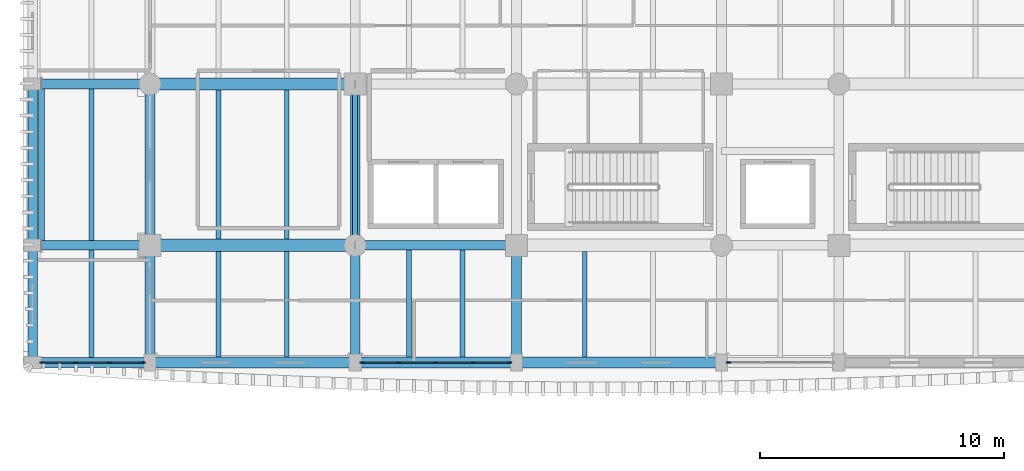
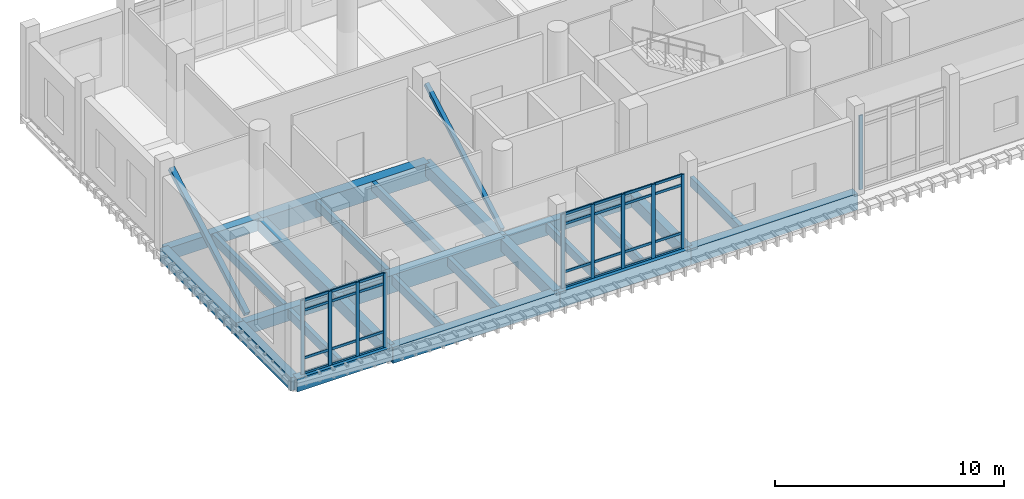
# One storey, part 25 of 101: 40 members, 25 beams, 3 elements without a shape of their own.
"""IFC4 building model written with IfcOpenShell, lengths in metres."""

from ifc_helpers import new_model, si_unit, direction, frame, origin, origin_2d, place, context, subcontext, project, spatial, rectangle, hollow_rectangle, extrude, material, material_profile, profile_set, type_object, element, aggregate, save


model = new_model("IFC4")

# Units and contexts
model_context = context("Model", 3, precision=1e-05, world=origin(), true_north=direction((0.0, 1.0)))
body_context = subcontext(model_context, "Body", "Model", "MODEL_VIEW")
ifc_project = project(units=[si_unit("LENGTHUNIT", "METRE"), si_unit("AREAUNIT", "SQUARE_METRE"), si_unit("VOLUMEUNIT", "CUBIC_METRE"), si_unit("PLANEANGLEUNIT", "RADIAN"), si_unit("MASSUNIT", "GRAM", prefix="KILO")], contexts=[model_context])

# Site, building, storey
site_placement = place(None, origin())
site = spatial("IfcSite", under=ifc_project, at=site_placement, CompositionType="ELEMENT")
building_placement = place(site_placement, origin())
building = spatial("IfcBuilding", under=site, at=building_placement, Name="Dornvale Research Institute", CompositionType="ELEMENT")
storey_placement = place(building_placement, frame((0.0, 0.0, 10.199951171875)))
storey = spatial("IfcBuildingStorey", under=building, at=storey_placement, Name="L02", CompositionType="ELEMENT", Elevation=10.199951171875)

# Beams
ifc_material_1 = material(Name="Concrete f'c 45 MPa (C35/45)", Category="concrete")
ifc_material_profile_1 = material_profile(ifc_material_1, rectangle(XDim=0.39990234375, YDim=0.64990234375, at=origin_2d()), Name="RC 400x650")
ifc_profile_set_1 = profile_set([ifc_material_profile_1], Name="Concrete f'c 45 MPa (C35/45)")
beam_type_1 = type_object("IfcBeamType", Name="Beam_RC400x650_Floor", PredefinedType="BEAM", material=ifc_profile_set_1)
beam_1_placement = place(storey_placement, frame((0.0, 103.800048828125, -0.324951171875), z_axis=(1.0, 0.0, 0.0), x_axis=(0.0, 1.0, 0.0)))
element("IfcBeam", 1, at=beam_1_placement, inside=storey, type_object=beam_type_1, Name="L02 primary girder #575", PredefinedType="BEAM", context=body_context, shape_type="SweptSolid", body=[
    extrude(rectangle(XDim=0.39990234375, YDim=0.64990234375, at=origin_2d()), origin(), (0.0, 0.0, 1.0), 4.800048828125),
])
beam_2_placement = place(storey_placement, frame((13.199951171875, 103.800048828125, -0.324951171875), z_axis=(1.0, 0.0, 0.0), x_axis=(0.0, 1.0, 0.0)))
element("IfcBeam", 2, at=beam_2_placement, inside=storey, type_object=beam_type_1, Name="L02 primary girder #577", PredefinedType="BEAM", context=body_context, shape_type="SweptSolid", body=[
    extrude(rectangle(XDim=0.39990234375, YDim=0.64990234375, at=origin_2d()), origin(), (0.0, 0.0, 1.0), 6.60009765625),
])
for number, where, z_axis, x_axis, name in (
    (3, (0.0, 110.39990234375, -0.324951171875), (1.0, 0.0, 0.0), (0.0, 1.0, 0.0), "L02 primary girder #582"),
    (4, (4.800048828125, 99.0, -0.324951171875), (0.0, 1.0, 0.0), (-1.0, 0.0, 0.0), "L02 transverse girder #607"),
):
    element("IfcBeam", number, at=place(storey_placement, frame(where, z_axis=z_axis, x_axis=x_axis)), inside=storey, type_object=beam_type_1, Name=name, PredefinedType="BEAM", context=body_context, shape_type="SweptSolid", body=[
        extrude(rectangle(XDim=0.39990234375, YDim=0.64990234375, at=origin_2d()), origin(), (0.0, 0.0, 1.0), 4.800048828125),
    ])
beam_3_placement = place(storey_placement, frame((4.800048828125, 103.800048828125, -0.324951171875), z_axis=(0.0, 1.0, 0.0), x_axis=(-1.0, 0.0, 0.0)))
element("IfcBeam", 5, at=beam_3_placement, inside=storey, type_object=beam_type_1, Name="L02 transverse girder #608", PredefinedType="BEAM", context=body_context, shape_type="SweptSolid", body=[
    extrude(rectangle(XDim=0.39990234375, YDim=0.64990234375, at=origin_2d()), origin(), (0.0, 0.0, 1.0), 6.599853515625),
])
beam_4_placement = place(storey_placement, frame((13.199951171875, 99.0, -0.324951171875), z_axis=(0.0, 1.0, 0.0), x_axis=(-1.0, 0.0, 0.0)))
element("IfcBeam", 6, at=beam_4_placement, inside=storey, type_object=beam_type_1, Name="L02 transverse girder #611", PredefinedType="BEAM", context=body_context, shape_type="SweptSolid", body=[
    extrude(rectangle(XDim=0.39990234375, YDim=0.64990234375, at=origin_2d()), origin(), (0.0, 0.0, 1.0), 4.800048828125),
])
beam_5_placement = place(storey_placement, frame((13.199951171875, 103.800048828125, -0.324951171875), z_axis=(0.0, 1.0, 0.0), x_axis=(-1.0, 0.0, 0.0)))
element("IfcBeam", 7, at=beam_5_placement, inside=storey, type_object=beam_type_1, Name="L02 transverse girder #612", PredefinedType="BEAM", context=body_context, shape_type="SweptSolid", body=[
    extrude(rectangle(XDim=0.39990234375, YDim=0.64990234375, at=origin_2d()), origin(), (0.0, 0.0, 1.0), 6.599853515625),
])
beam_6_placement = place(storey_placement, frame((19.800048828125, 99.0, -0.324951171875), z_axis=(0.0, 1.0, 0.0), x_axis=(-1.0, 0.0, 0.0)))
element("IfcBeam", 8, at=beam_6_placement, inside=storey, type_object=beam_type_1, Name="L02 transverse girder #615", PredefinedType="BEAM", context=body_context, shape_type="SweptSolid", body=[
    extrude(rectangle(XDim=0.39990234375, YDim=0.64990234375, at=origin_2d()), origin(), (0.0, 0.0, 1.0), 4.800048828125),
])
ifc_material_2 = material(Name="Concrete f'c 45 MPa (C35/45)", Category="concrete")
ifc_material_profile_2 = material_profile(ifc_material_2, rectangle(XDim=0.5, YDim=0.949951171875, at=origin_2d()), Name="RC 500x950")
ifc_profile_set_2 = profile_set([ifc_material_profile_2], Name="Concrete f'c 45 MPa (C35/45)")
beam_type_2 = type_object("IfcBeamType", Name="Beam_RC500x950_Girder", PredefinedType="BEAM", material=ifc_profile_set_2)
for number, where, z_axis, x_axis, name in (
    (9, (4.800048828125, 103.800048828125, -0.474853515625), (1.0, 0.0, 0.0), (0.0, 1.0, 0.0), "L02 primary girder #576"),
    (10, (4.800048828125, 110.39990234375, -0.474853515625), (1.0, 0.0, 0.0), (0.0, 1.0, 0.0), "L02 primary girder #583"),
):
    element("IfcBeam", number, at=place(storey_placement, frame(where, z_axis=z_axis, x_axis=x_axis)), inside=storey, type_object=beam_type_2, Name=name, PredefinedType="BEAM", context=body_context, shape_type="SweptSolid", body=[
        extrude(rectangle(XDim=0.5, YDim=0.949951171875, at=origin_2d()), origin(), (0.0, 0.0, 1.0), 8.39990234375),
    ])

# Members
ifc_material_3 = material(Name="Steel ASTM A500 Grade C", Category="steel")
ifc_material_profile_3 = material_profile(ifc_material_3, hollow_rectangle(XDim=0.202880859375, YDim=0.202880859375, WallThickness=0.0087890625, at=origin_2d()), Name="HSS203X203X9.5")
ifc_profile_set_3 = profile_set([ifc_material_profile_3], Name="Steel ASTM A500 Grade C")
member_type_1 = type_object("IfcMemberType", Name="Brace_HSS203X203_Int", PredefinedType="BRACE", material=ifc_profile_set_3)
member_1_placement = place(storey_placement, frame((13.199951171875, 103.800048828125, 0.300048828125), z_axis=(0.0, 0.869451847873, 0.494017696272), x_axis=(-1.0, 0.0, 0.0)))
element("IfcMember", 11, at=member_1_placement, inside=storey, type_object=member_type_1, Name="L02 seismic diagonal brace #39", PredefinedType="BRACE", context=body_context, shape_type="SweptSolid", body=[
    extrude(hollow_rectangle(XDim=0.202880859375, YDim=0.202880859375, WallThickness=0.0087890625, at=origin_2d()), origin(), (0.0, 0.0, 1.0), 7.5908203125),
])
ifc_material_4 = material(Name="Steel ASTM A500 Grade C", Category="steel")
ifc_material_profile_4 = material_profile(ifc_material_4, hollow_rectangle(XDim=0.25390625, YDim=0.25390625, WallThickness=0.01171875, at=origin_2d()), Name="HSS254X254X12.7")
ifc_profile_set_4 = profile_set([ifc_material_profile_4], Name="Steel ASTM A500 Grade C")
member_type_2 = type_object("IfcMemberType", Name="Brace_HSS254X254_Int", PredefinedType="BRACE", material=ifc_profile_set_4)
member_2_placement = place(storey_placement, frame((0.360107421875, 103.800048828125, 0.300048828125), z_axis=(0.0, 0.869451847873, 0.494017696272), x_axis=(-1.0, 0.0, 0.0)))
element("IfcMember", 12, at=member_2_placement, inside=storey, type_object=member_type_2, Name="L02 seismic diagonal brace #34", PredefinedType="BRACE", context=body_context, shape_type="SweptSolid", body=[
    extrude(hollow_rectangle(XDim=0.25390625, YDim=0.25390625, WallThickness=0.01171875, at=origin_2d()), origin(), (0.0, 0.0, 1.0), 7.5908203125),
])

# Beams
ifc_material_5 = material(Name="Concrete f'c 45 MPa (C35/45)", Category="concrete")
ifc_material_profile_5 = material_profile(ifc_material_5, rectangle(XDim=0.199951171875, YDim=0.485107421875, at=origin_2d()), Name="RC 200x485")
ifc_profile_set_5 = profile_set([ifc_material_profile_5], Name="Concrete f'c 45 MPa (C35/45)")
beam_type_3 = type_object("IfcBeamType", Name="Joist_RC200x485_Rib", PredefinedType="JOIST", material=ifc_profile_set_5)
beam_7_placement = place(storey_placement, frame((2.39990234375, 99.199951171875, -0.242431640625), z_axis=(0.0, 1.0, 0.0), x_axis=(-1.0, 0.0, 0.0)))
element("IfcBeam", 13, at=beam_7_placement, inside=storey, type_object=beam_type_3, Name="L02 laboratory waffle joist #277", PredefinedType="JOIST", context=body_context, shape_type="SweptSolid", body=[
    extrude(rectangle(XDim=0.199951171875, YDim=0.485107421875, at=origin_2d()), origin(), (0.0, 0.0, 1.0), 4.400146484375),
])
beam_8_placement = place(storey_placement, frame((2.39990234375, 104.0, -0.242431640625), z_axis=(0.0, 1.0, 0.0), x_axis=(-1.0, 0.0, 0.0)))
element("IfcBeam", 14, at=beam_8_placement, inside=storey, type_object=beam_type_3, Name="L02 laboratory waffle joist #278", PredefinedType="JOIST", context=body_context, shape_type="SweptSolid", body=[
    extrude(rectangle(XDim=0.199951171875, YDim=0.485107421875, at=origin_2d()), origin(), (0.0, 0.0, 1.0), 6.199951171875),
])
for number, where, z_axis, x_axis, name in (
    (15, (7.60009765625, 99.22509765625, -0.242431640625), (0.0, 1.0, 0.0), (-1.0, 0.0, 0.0), "L02 laboratory waffle joist #281"),
    (16, (10.39990234375, 99.22509765625, -0.242431640625), (0.0, 1.0, 0.0), (-1.0, 0.0, 0.0), "L02 laboratory waffle joist #282"),
):
    element("IfcBeam", number, at=place(storey_placement, frame(where, z_axis=z_axis, x_axis=x_axis)), inside=storey, type_object=beam_type_3, Name=name, PredefinedType="JOIST", context=body_context, shape_type="SweptSolid", body=[
        extrude(rectangle(XDim=0.199951171875, YDim=0.485107421875, at=origin_2d()), origin(), (0.0, 0.0, 1.0), 4.324951171875),
    ])
for number, where, z_axis, x_axis, name in (
    (17, (7.60009765625, 104.050048828125, -0.242431640625), (0.0, 1.0, 0.0), (-1.0, 0.0, 0.0), "L02 laboratory waffle joist #283"),
    (18, (10.39990234375, 104.050048828125, -0.242431640625), (0.0, 1.0, 0.0), (-1.0, 0.0, 0.0), "L02 laboratory waffle joist #284"),
):
    element("IfcBeam", number, at=place(storey_placement, frame(where, z_axis=z_axis, x_axis=x_axis)), inside=storey, type_object=beam_type_3, Name=name, PredefinedType="JOIST", context=body_context, shape_type="SweptSolid", body=[
        extrude(rectangle(XDim=0.199951171875, YDim=0.485107421875, at=origin_2d()), origin(), (0.0, 0.0, 1.0), 6.099853515625),
    ])
for number, where, z_axis, x_axis, name in (
    (19, (15.39990234375, 99.22509765625, -0.242431640625), (0.0, 1.0, 0.0), (-1.0, 0.0, 0.0), "L02 laboratory waffle joist #289"),
    (20, (17.60009765625, 99.22509765625, -0.242431640625), (0.0, 1.0, 0.0), (-1.0, 0.0, 0.0), "L02 laboratory waffle joist #290"),
):
    element("IfcBeam", number, at=place(storey_placement, frame(where, z_axis=z_axis, x_axis=x_axis)), inside=storey, type_object=beam_type_3, Name=name, PredefinedType="JOIST", context=body_context, shape_type="SweptSolid", body=[
        extrude(rectangle(XDim=0.199951171875, YDim=0.485107421875, at=origin_2d()), origin(), (0.0, 0.0, 1.0), 4.375),
    ])
beam_9_placement = place(storey_placement, frame((22.60009765625, 99.22509765625, -0.242431640625), z_axis=(0.0, 1.0, 0.0), x_axis=(-1.0, 0.0, 0.0)))
element("IfcBeam", 21, at=beam_9_placement, inside=storey, type_object=beam_type_3, Name="L02 laboratory waffle joist #295", PredefinedType="JOIST", context=body_context, shape_type="SweptSolid", body=[
    extrude(rectangle(XDim=0.199951171875, YDim=0.485107421875, at=origin_2d()), origin(), (0.0, 0.0, 1.0), 4.324951171875),
])

# Curtain wall, member
ifc_material_6 = material(Name="Low-E Argon Double Insulating Glazing Unit", Category="glass")
curtain_wall_type_1 = type_object("IfcCurtainWallType", Name="UnitisedCurtainWall_V5_4300x3950", PredefinedType="USERDEFINED", material=ifc_material_6)
curtain_wall_1_placement = place(storey_placement, origin())
curtain_wall_1 = element("IfcCurtainWall", 22, at=curtain_wall_1_placement, inside=storey, type_object=curtain_wall_type_1, Name="L02 V5 unitised curtain wall CW-25 #145", ObjectType="UNITISED CURTAIN WALL", PredefinedType="USERDEFINED")
ifc_material_7 = material(Name="Anodized Aluminum AA 6063-T6 Thermally Broken Frame", Category="aluminium")
ifc_material_profile_6 = material_profile(ifc_material_7, rectangle(XDim=0.06494140625, YDim=0.179931640625, at=origin_2d()), Name="ALU MULLION 65x180")
ifc_profile_set_6 = profile_set([ifc_material_profile_6], Name="Anodized Aluminum AA 6063-T6 Thermally Broken Frame")
member_type_3 = type_object("IfcMemberType", Name="Mullion_CW_65x180", PredefinedType="MULLION", material=ifc_profile_set_6)
member_3_placement = place(storey_placement, frame((28.482421875, 99.0, 0.0), z_axis=(0.0, 0.0, 1.0), x_axis=(0.0, -1.0, 0.0)))
member_3 = element("IfcMember", 23, at=member_3_placement, type_object=member_type_3, Name="CW-25 mullion 4", PredefinedType="MULLION", context=body_context, shape_type="SweptSolid", body=[
    extrude(rectangle(XDim=0.06494140625, YDim=0.179931640625, at=origin_2d()), origin(), (0.0, 0.0, 1.0), 3.949951171875),
])
aggregate(curtain_wall_1, [member_3])

# Curtain wall, members
ifc_material_8 = material(Name="Low-E Argon Double Insulating Glazing Unit", Category="glass")
curtain_wall_type_2 = type_object("IfcCurtainWallType", Name="UnitisedCurtainWall_V5_6100x3950", PredefinedType="USERDEFINED", material=ifc_material_8)
curtain_wall_2_placement = place(storey_placement, origin())
curtain_wall_2 = element("IfcCurtainWall", 24, at=curtain_wall_2_placement, inside=storey, type_object=curtain_wall_type_2, Name="L02 V5 unitised curtain wall CW-26 #146", ObjectType="UNITISED CURTAIN WALL", PredefinedType="USERDEFINED")
member_4_placement = place(storey_placement, frame((19.517578125, 99.0, 0.0), z_axis=(0.0, 0.0, 1.0), x_axis=(0.0, -1.0, 0.0)))
member_4 = element("IfcMember", 25, at=member_4_placement, type_object=member_type_3, Name="CW-26 mullion 1", PredefinedType="MULLION", context=body_context, shape_type="SweptSolid", body=[
    extrude(rectangle(XDim=0.06494140625, YDim=0.179931640625, at=origin_2d()), origin(), (0.0, 0.0, 1.0), 3.949951171875),
])
member_5_placement = place(storey_placement, frame((18.02490234375, 99.0, 0.0), z_axis=(0.0, 0.0, 1.0), x_axis=(0.0, -1.0, 0.0)))
member_5 = element("IfcMember", 26, at=member_5_placement, type_object=member_type_3, Name="CW-26 mullion 2", PredefinedType="MULLION", context=body_context, shape_type="SweptSolid", body=[
    extrude(rectangle(XDim=0.06494140625, YDim=0.179931640625, at=origin_2d()), origin(), (0.0, 0.0, 1.0), 3.949951171875),
])
member_6_placement = place(storey_placement, frame((16.5, 99.0, 0.0), z_axis=(0.0, 0.0, 1.0), x_axis=(0.0, -1.0, 0.0)))
member_6 = element("IfcMember", 27, at=member_6_placement, type_object=member_type_3, Name="CW-26 mullion 3", PredefinedType="MULLION", context=body_context, shape_type="SweptSolid", body=[
    extrude(rectangle(XDim=0.06494140625, YDim=0.179931640625, at=origin_2d()), origin(), (0.0, 0.0, 1.0), 3.949951171875),
])
member_7_placement = place(storey_placement, frame((14.97509765625, 99.0, 0.0), z_axis=(0.0, 0.0, 1.0), x_axis=(0.0, -1.0, 0.0)))
member_7 = element("IfcMember", 28, at=member_7_placement, type_object=member_type_3, Name="CW-26 mullion 4", PredefinedType="MULLION", context=body_context, shape_type="SweptSolid", body=[
    extrude(rectangle(XDim=0.06494140625, YDim=0.179931640625, at=origin_2d()), origin(), (0.0, 0.0, 1.0), 3.949951171875),
])
member_8_placement = place(storey_placement, frame((13.482421875, 99.0, 0.0), z_axis=(0.0, 0.0, 1.0), x_axis=(0.0, -1.0, 0.0)))
member_8 = element("IfcMember", 29, at=member_8_placement, type_object=member_type_3, Name="CW-26 mullion 5", PredefinedType="MULLION", context=body_context, shape_type="SweptSolid", body=[
    extrude(rectangle(XDim=0.06494140625, YDim=0.179931640625, at=origin_2d()), origin(), (0.0, 0.0, 1.0), 3.949951171875),
])

ifc_material_9 = material(Name="Low-E Argon Double Insulating Glazing Unit", Category="glass")
curtain_wall_type_3 = type_object("IfcCurtainWallType", Name="UnitisedCurtainWall_V5_4200x3950", PredefinedType="USERDEFINED", material=ifc_material_9)
curtain_wall_3_placement = place(storey_placement, origin())
curtain_wall_3 = element("IfcCurtainWall", 30, at=curtain_wall_3_placement, inside=storey, type_object=curtain_wall_type_3, Name="L02 V5 unitised curtain wall CW-27 #147", ObjectType="UNITISED CURTAIN WALL", PredefinedType="USERDEFINED")
member_9_placement = place(storey_placement, frame((4.517578125, 99.0, 0.0), z_axis=(0.0, 0.0, 1.0), x_axis=(0.0, -1.0, 0.0)))
member_9 = element("IfcMember", 31, at=member_9_placement, type_object=member_type_3, Name="CW-27 mullion 1", PredefinedType="MULLION", context=body_context, shape_type="SweptSolid", body=[
    extrude(rectangle(XDim=0.06494140625, YDim=0.179931640625, at=origin_2d()), origin(), (0.0, 0.0, 1.0), 3.949951171875),
])
member_10_placement = place(storey_placement, frame((3.14990234375, 99.0, 0.0), z_axis=(0.0, 0.0, 1.0), x_axis=(0.0, -1.0, 0.0)))
member_10 = element("IfcMember", 32, at=member_10_placement, type_object=member_type_3, Name="CW-27 mullion 2", PredefinedType="MULLION", context=body_context, shape_type="SweptSolid", body=[
    extrude(rectangle(XDim=0.06494140625, YDim=0.179931640625, at=origin_2d()), origin(), (0.0, 0.0, 1.0), 3.949951171875),
])
member_11_placement = place(storey_placement, frame((1.75, 99.0, 0.0), z_axis=(0.0, 0.0, 1.0), x_axis=(0.0, -1.0, 0.0)))
member_11 = element("IfcMember", 33, at=member_11_placement, type_object=member_type_3, Name="CW-27 mullion 3", PredefinedType="MULLION", context=body_context, shape_type="SweptSolid", body=[
    extrude(rectangle(XDim=0.06494140625, YDim=0.179931640625, at=origin_2d()), origin(), (0.0, 0.0, 1.0), 3.949951171875),
])
member_12_placement = place(storey_placement, frame((0.382568359375, 99.0, 0.0), z_axis=(0.0, 0.0, 1.0), x_axis=(0.0, -1.0, 0.0)))
member_12 = element("IfcMember", 34, at=member_12_placement, type_object=member_type_3, Name="CW-27 mullion 4", PredefinedType="MULLION", context=body_context, shape_type="SweptSolid", body=[
    extrude(rectangle(XDim=0.06494140625, YDim=0.179931640625, at=origin_2d()), origin(), (0.0, 0.0, 1.0), 3.949951171875),
])

# Beams
ifc_material_10 = material(Name="Concrete f'c 45 MPa (C35/45)", Category="concrete")
ifc_material_profile_7 = material_profile(ifc_material_10, rectangle(XDim=0.39990234375, YDim=0.699951171875, at=origin_2d()), Name="RC 400x700")
ifc_profile_set_7 = profile_set([ifc_material_profile_7], Name="Concrete f'c 45 MPa (C35/45)")
beam_type_4 = type_object("IfcBeamType", Name="Spandrel_RC400x700_Ext", PredefinedType="SPANDREL", material=ifc_profile_set_7)
for number, where, z_axis, x_axis, name in (
    (35, (0.0, 99.0, -0.349853515625), (1.0, 0.0, 0.0), (0.0, 1.0, 0.0), "L02 perimeter spandrel #568"),
    (36, (0.0, 99.0, -0.349853515625), (0.0, 1.0, 0.0), (-1.0, 0.0, 0.0), "L02 perimeter spandrel #603"),
):
    element("IfcBeam", number, at=place(storey_placement, frame(where, z_axis=z_axis, x_axis=x_axis)), inside=storey, type_object=beam_type_4, Name=name, PredefinedType="SPANDREL", context=body_context, shape_type="SweptSolid", body=[
        extrude(rectangle(XDim=0.39990234375, YDim=0.699951171875, at=origin_2d()), origin(), (0.0, 0.0, 1.0), 4.800048828125),
    ])
beam_10_placement = place(storey_placement, frame((0.0, 103.800048828125, -0.349853515625), z_axis=(0.0, 1.0, 0.0), x_axis=(-1.0, 0.0, 0.0)))
element("IfcBeam", 37, at=beam_10_placement, inside=storey, type_object=beam_type_4, Name="L02 perimeter spandrel #604", PredefinedType="SPANDREL", context=body_context, shape_type="SweptSolid", body=[
    extrude(rectangle(XDim=0.39990234375, YDim=0.699951171875, at=origin_2d()), origin(), (0.0, 0.0, 1.0), 6.599853515625),
])
ifc_material_11 = material(Name="Concrete f'c 45 MPa (C35/45)", Category="concrete")
ifc_material_profile_8 = material_profile(ifc_material_11, rectangle(XDim=0.449951171875, YDim=0.85009765625, at=origin_2d()), Name="RC 450x850")
ifc_profile_set_8 = profile_set([ifc_material_profile_8], Name="Concrete f'c 45 MPa (C35/45)")
beam_type_5 = type_object("IfcBeamType", Name="Spandrel_RC450x850_Ext", PredefinedType="SPANDREL", material=ifc_profile_set_8)
beam_11_placement = place(storey_placement, frame((4.800048828125, 99.0, -0.425048828125), z_axis=(1.0, 0.0, 0.0), x_axis=(0.0, 1.0, 0.0)))
element("IfcBeam", 38, at=beam_11_placement, inside=storey, type_object=beam_type_5, Name="L02 perimeter spandrel #569", PredefinedType="SPANDREL", context=body_context, shape_type="SweptSolid", body=[
    extrude(rectangle(XDim=0.449951171875, YDim=0.85009765625, at=origin_2d()), origin(), (0.0, 0.0, 1.0), 8.39990234375),
])
beam_12_placement = place(storey_placement, frame((13.199951171875, 99.0, -0.425048828125), z_axis=(1.0, 0.0, 0.0), x_axis=(0.0, 1.0, 0.0)))
element("IfcBeam", 39, at=beam_12_placement, inside=storey, type_object=beam_type_5, Name="L02 perimeter spandrel #570", PredefinedType="SPANDREL", context=body_context, shape_type="SweptSolid", body=[
    extrude(rectangle(XDim=0.449951171875, YDim=0.85009765625, at=origin_2d()), origin(), (0.0, 0.0, 1.0), 6.60009765625),
])
beam_13_placement = place(storey_placement, frame((19.800048828125, 99.0, -0.425048828125), z_axis=(1.0, 0.0, 0.0), x_axis=(0.0, 1.0, 0.0)))
element("IfcBeam", 40, at=beam_13_placement, inside=storey, type_object=beam_type_5, Name="L02 perimeter spandrel #571", PredefinedType="SPANDREL", context=body_context, shape_type="SweptSolid", body=[
    extrude(rectangle(XDim=0.449951171875, YDim=0.85009765625, at=origin_2d()), origin(), (0.0, 0.0, 1.0), 8.39990234375),
])

# Member
ifc_material_12 = material(Name="Anodized Aluminum AA 6063-T6 Thermally Broken Frame", Category="aluminium")
ifc_material_profile_9 = material_profile(ifc_material_12, rectangle(XDim=0.06494140625, YDim=0.135009765625, at=origin_2d()), Name="ALU TRANSOM 65x135")
ifc_profile_set_9 = profile_set([ifc_material_profile_9], Name="Anodized Aluminum AA 6063-T6 Thermally Broken Frame")
member_type_4 = type_object("IfcMemberType", Name="Transom_CW_65x135", PredefinedType="USERDEFINED", material=ifc_profile_set_9)
member_13_placement = place(storey_placement, frame((19.485107421875, 99.0, 0.032470703125), z_axis=(-1.0, 0.0, 0.0), x_axis=(0.0, -1.0, 0.0)))
member_13 = element("IfcMember", 41, at=member_13_placement, type_object=member_type_4, Name="CW-26 transom 1.1", ObjectType="TRANSOM", PredefinedType="USERDEFINED", context=body_context, shape_type="SweptSolid", body=[
    extrude(rectangle(XDim=0.06494140625, YDim=0.135009765625, at=origin_2d()), origin(), (0.0, 0.0, 1.0), 1.427490234375),
])

member_14_placement = place(storey_placement, frame((19.485107421875, 99.0, 0.85009765625), z_axis=(-1.0, 0.0, 0.0), x_axis=(0.0, -1.0, 0.0)))
member_14 = element("IfcMember", 42, at=member_14_placement, type_object=member_type_4, Name="CW-26 transom 1.2", ObjectType="TRANSOM", PredefinedType="USERDEFINED", context=body_context, shape_type="SweptSolid", body=[
    extrude(rectangle(XDim=0.06494140625, YDim=0.135009765625, at=origin_2d()), origin(), (0.0, 0.0, 1.0), 1.427490234375),
])

member_15_placement = place(storey_placement, frame((19.485107421875, 99.0, 3.400146484375), z_axis=(-1.0, 0.0, 0.0), x_axis=(0.0, -1.0, 0.0)))
member_15 = element("IfcMember", 43, at=member_15_placement, type_object=member_type_4, Name="CW-26 transom 1.3", ObjectType="TRANSOM", PredefinedType="USERDEFINED", context=body_context, shape_type="SweptSolid", body=[
    extrude(rectangle(XDim=0.06494140625, YDim=0.135009765625, at=origin_2d()), origin(), (0.0, 0.0, 1.0), 1.427490234375),
])

member_16_placement = place(storey_placement, frame((19.485107421875, 99.0, 3.91748046875), z_axis=(-1.0, 0.0, 0.0), x_axis=(0.0, -1.0, 0.0)))
member_16 = element("IfcMember", 44, at=member_16_placement, type_object=member_type_4, Name="CW-26 transom 1.4", ObjectType="TRANSOM", PredefinedType="USERDEFINED", context=body_context, shape_type="SweptSolid", body=[
    extrude(rectangle(XDim=0.06494140625, YDim=0.135009765625, at=origin_2d()), origin(), (0.0, 0.0, 1.0), 1.427490234375),
])

member_17_placement = place(storey_placement, frame((17.992431640625, 99.0, 0.032470703125), z_axis=(-1.0, 0.0, 0.0), x_axis=(0.0, -1.0, 0.0)))
member_17 = element("IfcMember", 45, at=member_17_placement, type_object=member_type_4, Name="CW-26 transom 2.1", ObjectType="TRANSOM", PredefinedType="USERDEFINED", context=body_context, shape_type="SweptSolid", body=[
    extrude(rectangle(XDim=0.06494140625, YDim=0.135009765625, at=origin_2d()), origin(), (0.0, 0.0, 1.0), 1.4599609375),
])

member_18_placement = place(storey_placement, frame((17.992431640625, 99.0, 0.85009765625), z_axis=(-1.0, 0.0, 0.0), x_axis=(0.0, -1.0, 0.0)))
member_18 = element("IfcMember", 46, at=member_18_placement, type_object=member_type_4, Name="CW-26 transom 2.2", ObjectType="TRANSOM", PredefinedType="USERDEFINED", context=body_context, shape_type="SweptSolid", body=[
    extrude(rectangle(XDim=0.06494140625, YDim=0.135009765625, at=origin_2d()), origin(), (0.0, 0.0, 1.0), 1.4599609375),
])

member_19_placement = place(storey_placement, frame((17.992431640625, 99.0, 3.400146484375), z_axis=(-1.0, 0.0, 0.0), x_axis=(0.0, -1.0, 0.0)))
member_19 = element("IfcMember", 47, at=member_19_placement, type_object=member_type_4, Name="CW-26 transom 2.3", ObjectType="TRANSOM", PredefinedType="USERDEFINED", context=body_context, shape_type="SweptSolid", body=[
    extrude(rectangle(XDim=0.06494140625, YDim=0.135009765625, at=origin_2d()), origin(), (0.0, 0.0, 1.0), 1.4599609375),
])

member_20_placement = place(storey_placement, frame((17.992431640625, 99.0, 3.91748046875), z_axis=(-1.0, 0.0, 0.0), x_axis=(0.0, -1.0, 0.0)))
member_20 = element("IfcMember", 48, at=member_20_placement, type_object=member_type_4, Name="CW-26 transom 2.4", ObjectType="TRANSOM", PredefinedType="USERDEFINED", context=body_context, shape_type="SweptSolid", body=[
    extrude(rectangle(XDim=0.06494140625, YDim=0.135009765625, at=origin_2d()), origin(), (0.0, 0.0, 1.0), 1.4599609375),
])

member_21_placement = place(storey_placement, frame((16.467529296875, 99.0, 0.032470703125), z_axis=(-1.0, 0.0, 0.0), x_axis=(0.0, -1.0, 0.0)))
member_21 = element("IfcMember", 49, at=member_21_placement, type_object=member_type_4, Name="CW-26 transom 3.1", ObjectType="TRANSOM", PredefinedType="USERDEFINED", context=body_context, shape_type="SweptSolid", body=[
    extrude(rectangle(XDim=0.06494140625, YDim=0.135009765625, at=origin_2d()), origin(), (0.0, 0.0, 1.0), 1.4599609375),
])

member_22_placement = place(storey_placement, frame((16.467529296875, 99.0, 0.85009765625), z_axis=(-1.0, 0.0, 0.0), x_axis=(0.0, -1.0, 0.0)))
member_22 = element("IfcMember", 50, at=member_22_placement, type_object=member_type_4, Name="CW-26 transom 3.2", ObjectType="TRANSOM", PredefinedType="USERDEFINED", context=body_context, shape_type="SweptSolid", body=[
    extrude(rectangle(XDim=0.06494140625, YDim=0.135009765625, at=origin_2d()), origin(), (0.0, 0.0, 1.0), 1.4599609375),
])

member_23_placement = place(storey_placement, frame((16.467529296875, 99.0, 3.400146484375), z_axis=(-1.0, 0.0, 0.0), x_axis=(0.0, -1.0, 0.0)))
member_23 = element("IfcMember", 51, at=member_23_placement, type_object=member_type_4, Name="CW-26 transom 3.3", ObjectType="TRANSOM", PredefinedType="USERDEFINED", context=body_context, shape_type="SweptSolid", body=[
    extrude(rectangle(XDim=0.06494140625, YDim=0.135009765625, at=origin_2d()), origin(), (0.0, 0.0, 1.0), 1.4599609375),
])

member_24_placement = place(storey_placement, frame((16.467529296875, 99.0, 3.91748046875), z_axis=(-1.0, 0.0, 0.0), x_axis=(0.0, -1.0, 0.0)))
member_24 = element("IfcMember", 52, at=member_24_placement, type_object=member_type_4, Name="CW-26 transom 3.4", ObjectType="TRANSOM", PredefinedType="USERDEFINED", context=body_context, shape_type="SweptSolid", body=[
    extrude(rectangle(XDim=0.06494140625, YDim=0.135009765625, at=origin_2d()), origin(), (0.0, 0.0, 1.0), 1.4599609375),
])

member_25_placement = place(storey_placement, frame((14.9423828125, 99.0, 0.032470703125), z_axis=(-1.0, 0.0, 0.0), x_axis=(0.0, -1.0, 0.0)))
member_25 = element("IfcMember", 53, at=member_25_placement, type_object=member_type_4, Name="CW-26 transom 4.1", ObjectType="TRANSOM", PredefinedType="USERDEFINED", context=body_context, shape_type="SweptSolid", body=[
    extrude(rectangle(XDim=0.06494140625, YDim=0.135009765625, at=origin_2d()), origin(), (0.0, 0.0, 1.0), 1.427490234375),
])

member_26_placement = place(storey_placement, frame((14.9423828125, 99.0, 0.85009765625), z_axis=(-1.0, 0.0, 0.0), x_axis=(0.0, -1.0, 0.0)))
member_26 = element("IfcMember", 54, at=member_26_placement, type_object=member_type_4, Name="CW-26 transom 4.2", ObjectType="TRANSOM", PredefinedType="USERDEFINED", context=body_context, shape_type="SweptSolid", body=[
    extrude(rectangle(XDim=0.06494140625, YDim=0.135009765625, at=origin_2d()), origin(), (0.0, 0.0, 1.0), 1.427490234375),
])

member_27_placement = place(storey_placement, frame((14.9423828125, 99.0, 3.400146484375), z_axis=(-1.0, 0.0, 0.0), x_axis=(0.0, -1.0, 0.0)))
member_27 = element("IfcMember", 55, at=member_27_placement, type_object=member_type_4, Name="CW-26 transom 4.3", ObjectType="TRANSOM", PredefinedType="USERDEFINED", context=body_context, shape_type="SweptSolid", body=[
    extrude(rectangle(XDim=0.06494140625, YDim=0.135009765625, at=origin_2d()), origin(), (0.0, 0.0, 1.0), 1.427490234375),
])

member_28_placement = place(storey_placement, frame((14.9423828125, 99.0, 3.91748046875), z_axis=(-1.0, 0.0, 0.0), x_axis=(0.0, -1.0, 0.0)))
member_28 = element("IfcMember", 56, at=member_28_placement, type_object=member_type_4, Name="CW-26 transom 4.4", ObjectType="TRANSOM", PredefinedType="USERDEFINED", context=body_context, shape_type="SweptSolid", body=[
    extrude(rectangle(XDim=0.06494140625, YDim=0.135009765625, at=origin_2d()), origin(), (0.0, 0.0, 1.0), 1.427490234375),
])

aggregate(curtain_wall_2, [member_4, member_5, member_6, member_7, member_8, member_13, member_14, member_15, member_16, member_17, member_18, member_19, member_20, member_21, member_22, member_23, member_24, member_25, member_26, member_27, member_28])

member_29_placement = place(storey_placement, frame((4.485107421875, 99.0, 0.032470703125), z_axis=(-1.0, 0.0, 0.0), x_axis=(0.0, -1.0, 0.0)))
member_29 = element("IfcMember", 57, at=member_29_placement, type_object=member_type_4, Name="CW-27 transom 1.1", ObjectType="TRANSOM", PredefinedType="USERDEFINED", context=body_context, shape_type="SweptSolid", body=[
    extrude(rectangle(XDim=0.06494140625, YDim=0.135009765625, at=origin_2d()), origin(), (0.0, 0.0, 1.0), 1.302490234375),
])

member_30_placement = place(storey_placement, frame((4.485107421875, 99.0, 0.85009765625), z_axis=(-1.0, 0.0, 0.0), x_axis=(0.0, -1.0, 0.0)))
member_30 = element("IfcMember", 58, at=member_30_placement, type_object=member_type_4, Name="CW-27 transom 1.2", ObjectType="TRANSOM", PredefinedType="USERDEFINED", context=body_context, shape_type="SweptSolid", body=[
    extrude(rectangle(XDim=0.06494140625, YDim=0.135009765625, at=origin_2d()), origin(), (0.0, 0.0, 1.0), 1.302490234375),
])

member_31_placement = place(storey_placement, frame((4.485107421875, 99.0, 3.400146484375), z_axis=(-1.0, 0.0, 0.0), x_axis=(0.0, -1.0, 0.0)))
member_31 = element("IfcMember", 59, at=member_31_placement, type_object=member_type_4, Name="CW-27 transom 1.3", ObjectType="TRANSOM", PredefinedType="USERDEFINED", context=body_context, shape_type="SweptSolid", body=[
    extrude(rectangle(XDim=0.06494140625, YDim=0.135009765625, at=origin_2d()), origin(), (0.0, 0.0, 1.0), 1.302490234375),
])

member_32_placement = place(storey_placement, frame((4.485107421875, 99.0, 3.91748046875), z_axis=(-1.0, 0.0, 0.0), x_axis=(0.0, -1.0, 0.0)))
member_32 = element("IfcMember", 60, at=member_32_placement, type_object=member_type_4, Name="CW-27 transom 1.4", ObjectType="TRANSOM", PredefinedType="USERDEFINED", context=body_context, shape_type="SweptSolid", body=[
    extrude(rectangle(XDim=0.06494140625, YDim=0.135009765625, at=origin_2d()), origin(), (0.0, 0.0, 1.0), 1.302490234375),
])

member_33_placement = place(storey_placement, frame((3.117431640625, 99.0, 0.032470703125), z_axis=(-1.0, 0.0, 0.0), x_axis=(0.0, -1.0, 0.0)))
member_33 = element("IfcMember", 61, at=member_33_placement, type_object=member_type_4, Name="CW-27 transom 2.1", ObjectType="TRANSOM", PredefinedType="USERDEFINED", context=body_context, shape_type="SweptSolid", body=[
    extrude(rectangle(XDim=0.06494140625, YDim=0.135009765625, at=origin_2d()), origin(), (0.0, 0.0, 1.0), 1.3349609375),
])

member_34_placement = place(storey_placement, frame((3.117431640625, 99.0, 0.85009765625), z_axis=(-1.0, 0.0, 0.0), x_axis=(0.0, -1.0, 0.0)))
member_34 = element("IfcMember", 62, at=member_34_placement, type_object=member_type_4, Name="CW-27 transom 2.2", ObjectType="TRANSOM", PredefinedType="USERDEFINED", context=body_context, shape_type="SweptSolid", body=[
    extrude(rectangle(XDim=0.06494140625, YDim=0.135009765625, at=origin_2d()), origin(), (0.0, 0.0, 1.0), 1.3349609375),
])

member_35_placement = place(storey_placement, frame((3.117431640625, 99.0, 3.400146484375), z_axis=(-1.0, 0.0, 0.0), x_axis=(0.0, -1.0, 0.0)))
member_35 = element("IfcMember", 63, at=member_35_placement, type_object=member_type_4, Name="CW-27 transom 2.3", ObjectType="TRANSOM", PredefinedType="USERDEFINED", context=body_context, shape_type="SweptSolid", body=[
    extrude(rectangle(XDim=0.06494140625, YDim=0.135009765625, at=origin_2d()), origin(), (0.0, 0.0, 1.0), 1.3349609375),
])

member_36_placement = place(storey_placement, frame((3.117431640625, 99.0, 3.91748046875), z_axis=(-1.0, 0.0, 0.0), x_axis=(0.0, -1.0, 0.0)))
member_36 = element("IfcMember", 64, at=member_36_placement, type_object=member_type_4, Name="CW-27 transom 2.4", ObjectType="TRANSOM", PredefinedType="USERDEFINED", context=body_context, shape_type="SweptSolid", body=[
    extrude(rectangle(XDim=0.06494140625, YDim=0.135009765625, at=origin_2d()), origin(), (0.0, 0.0, 1.0), 1.3349609375),
])

member_37_placement = place(storey_placement, frame((1.717529296875, 99.0, 0.032470703125), z_axis=(-1.0, 0.0, 0.0), x_axis=(0.0, -1.0, 0.0)))
member_37 = element("IfcMember", 65, at=member_37_placement, type_object=member_type_4, Name="CW-27 transom 3.1", ObjectType="TRANSOM", PredefinedType="USERDEFINED", context=body_context, shape_type="SweptSolid", body=[
    extrude(rectangle(XDim=0.06494140625, YDim=0.135009765625, at=origin_2d()), origin(), (0.0, 0.0, 1.0), 1.302490234375),
])

member_38_placement = place(storey_placement, frame((1.717529296875, 99.0, 0.85009765625), z_axis=(-1.0, 0.0, 0.0), x_axis=(0.0, -1.0, 0.0)))
member_38 = element("IfcMember", 66, at=member_38_placement, type_object=member_type_4, Name="CW-27 transom 3.2", ObjectType="TRANSOM", PredefinedType="USERDEFINED", context=body_context, shape_type="SweptSolid", body=[
    extrude(rectangle(XDim=0.06494140625, YDim=0.135009765625, at=origin_2d()), origin(), (0.0, 0.0, 1.0), 1.302490234375),
])

member_39_placement = place(storey_placement, frame((1.717529296875, 99.0, 3.400146484375), z_axis=(-1.0, 0.0, 0.0), x_axis=(0.0, -1.0, 0.0)))
member_39 = element("IfcMember", 67, at=member_39_placement, type_object=member_type_4, Name="CW-27 transom 3.3", ObjectType="TRANSOM", PredefinedType="USERDEFINED", context=body_context, shape_type="SweptSolid", body=[
    extrude(rectangle(XDim=0.06494140625, YDim=0.135009765625, at=origin_2d()), origin(), (0.0, 0.0, 1.0), 1.302490234375),
])

member_40_placement = place(storey_placement, frame((1.717529296875, 99.0, 3.91748046875), z_axis=(-1.0, 0.0, 0.0), x_axis=(0.0, -1.0, 0.0)))
member_40 = element("IfcMember", 68, at=member_40_placement, type_object=member_type_4, Name="CW-27 transom 3.4", ObjectType="TRANSOM", PredefinedType="USERDEFINED", context=body_context, shape_type="SweptSolid", body=[
    extrude(rectangle(XDim=0.06494140625, YDim=0.135009765625, at=origin_2d()), origin(), (0.0, 0.0, 1.0), 1.302490234375),
])

aggregate(curtain_wall_3, [member_9, member_10, member_11, member_12, member_29, member_30, member_31, member_32, member_33, member_34, member_35, member_36, member_37, member_38, member_39, member_40])

save(model, "model.ifc")
